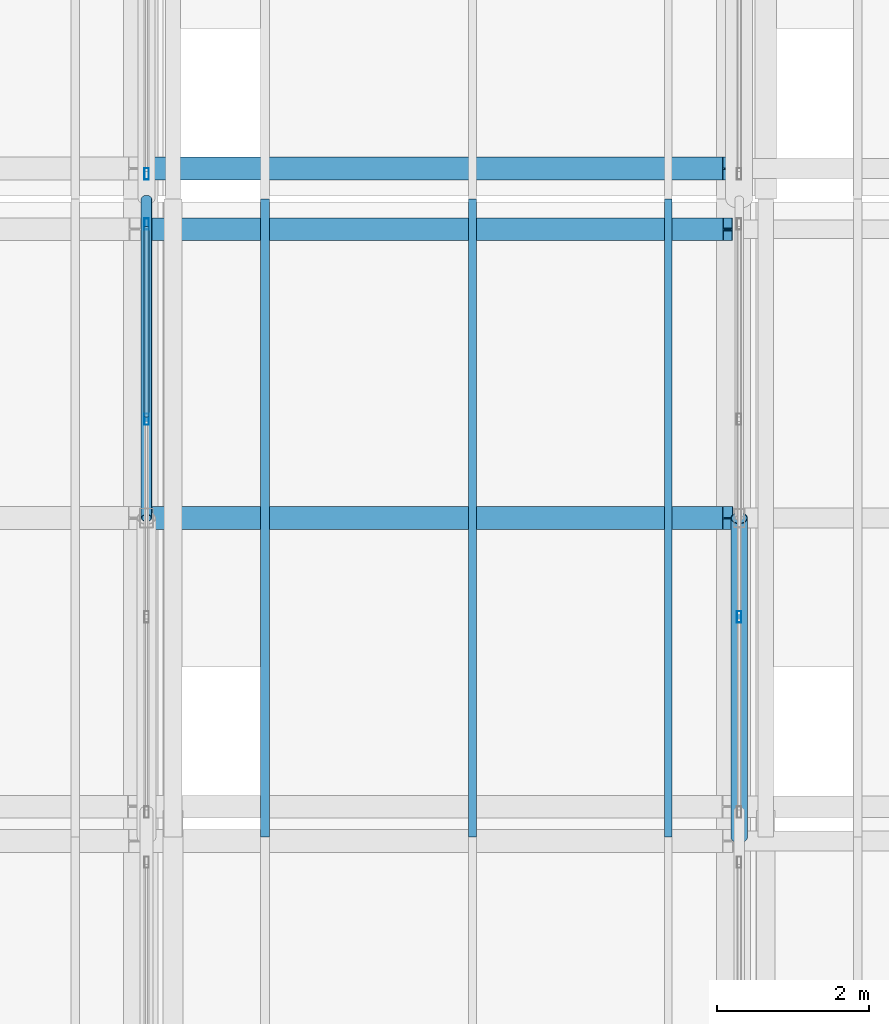
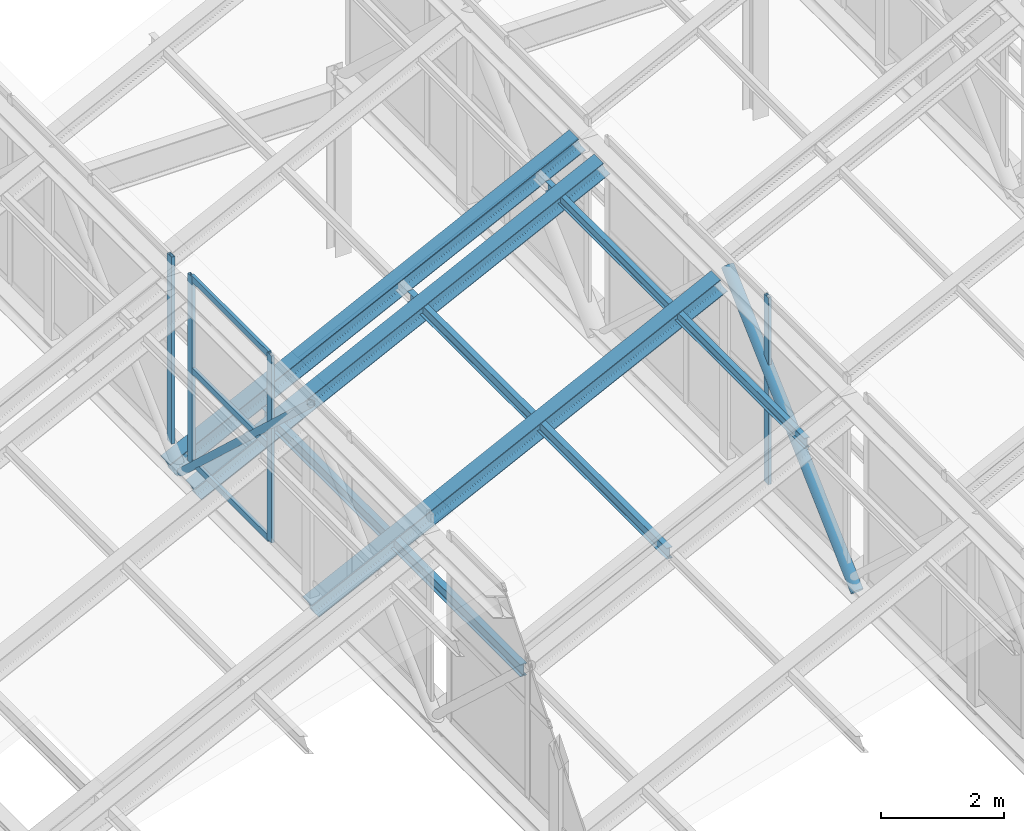
# One storey, part 20 of 101: 15 members, 3 elements without a shape of their own.
"""IFC4 building model written with IfcOpenShell, lengths in metres."""

from ifc_helpers import new_model, si_unit, direction, frame, origin, origin_2d, place, context, subcontext, project, spatial, hollow_rectangle, hollow_circle, i_section, extrude, material, layer, layer_set, material_profile, profile_set, type_object, element, aggregate, save


model = new_model("IFC4")

# Units and contexts
model_context = context("Model", 3, precision=1e-05, world=origin(), true_north=direction((0.0, 1.0)))
body_context = subcontext(model_context, "Body", "Model", "MODEL_VIEW")
ifc_project = project(units=[si_unit("LENGTHUNIT", "METRE"), si_unit("AREAUNIT", "SQUARE_METRE"), si_unit("VOLUMEUNIT", "CUBIC_METRE"), si_unit("PLANEANGLEUNIT", "RADIAN"), si_unit("MASSUNIT", "GRAM", prefix="KILO")], contexts=[model_context])

# Site, building, storey
site_placement = place(None, origin())
site = spatial("IfcSite", under=ifc_project, at=site_placement, CompositionType="ELEMENT")
building_placement = place(site_placement, origin())
building = spatial("IfcBuilding", under=site, at=building_placement, Name="Zizhar Promenade General Hospital", CompositionType="ELEMENT")
storey_placement = place(building_placement, frame((0.0, 0.0, 14.39990234375)))
storey = spatial("IfcBuildingStorey", under=building, at=storey_placement, Name="L03", CompositionType="ELEMENT", Elevation=14.39990234375)

# Curtain wall, members
ifc_material_1 = material(Name="Anodised aluminium 6063-T6 and low-E glass", Category="aluminium")
ifc_layer_1 = layer(ifc_material_1, 0.159912109375)
ifc_layer_set_1 = layer_set([ifc_layer_1], Name="Anodised aluminium 6063-T6 and low-E glass")
curtain_wall_type_1 = type_object("IfcCurtainWallType", Name="CW-SAW-NL2", PredefinedType="NOTDEFINED", material=ifc_layer_set_1)
curtain_wall_1_placement = place(storey_placement, origin())
curtain_wall_1 = element("IfcCurtainWall", 1, at=curtain_wall_1_placement, inside=storey, type_object=curtain_wall_type_1, Name="Sawtooth Clerestory Light B1-S2", PredefinedType="NOTDEFINED")
ifc_material_2 = material(Name="Anodised aluminium 6063-T6", Category="aluminium")
ifc_material_profile_1 = material_profile(ifc_material_2, hollow_rectangle(XDim=0.06005859375, YDim=0.14990234375, WallThickness=0.00390625, at=origin_2d()))
ifc_profile_set_1 = profile_set([ifc_material_profile_1], Name="Anodised aluminium 6063-T6")
member_type_1 = type_object("IfcMemberType", Name="CWM-ALU-150x60", PredefinedType="MULLION", material=ifc_profile_set_1)
member_1_placement = place(storey_placement, frame((78.0, 39.10009765625, 3.85009765625), z_axis=(0.0, 0.0, 1.0), x_axis=(-1.0, 0.0, 0.0)))
member_1 = element("IfcMember", 2, at=member_1_placement, type_object=member_type_1, Name="CW-04 mullion 3", PredefinedType="MULLION", context=body_context, shape_type="SweptSolid", body=[
    extrude(hollow_rectangle(XDim=0.06005859375, YDim=0.14990234375, WallThickness=0.00390625, at=origin_2d()), origin(), (0.0, 0.0, 1.0), 3.699951171875),
])
member_2_placement = place(storey_placement, frame((78.0, 41.669921875, 3.85009765625), z_axis=(0.0, 0.0, 1.0), x_axis=(-1.0, 0.0, 0.0)))
member_2 = element("IfcMember", 3, at=member_2_placement, type_object=member_type_1, Name="CW-04 mullion 4", PredefinedType="MULLION", context=body_context, shape_type="SweptSolid", body=[
    extrude(hollow_rectangle(XDim=0.06005859375, YDim=0.14990234375, WallThickness=0.00390625, at=origin_2d()), origin(), (0.0, 0.0, 1.0), 3.699951171875),
])

# Curtain wall, member
ifc_material_3 = material(Name="Anodised aluminium 6063-T6 and low-E glass", Category="aluminium")
ifc_layer_2 = layer(ifc_material_3, 0.159912109375)
ifc_layer_set_2 = layer_set([ifc_layer_2], Name="Anodised aluminium 6063-T6 and low-E glass")
curtain_wall_type_2 = type_object("IfcCurtainWallType", Name="CW-SAW-NL3", PredefinedType="NOTDEFINED", material=ifc_layer_set_2)
curtain_wall_2_placement = place(storey_placement, origin())
curtain_wall_2 = element("IfcCurtainWall", 4, at=curtain_wall_2_placement, inside=storey, type_object=curtain_wall_type_2, Name="Sawtooth Clerestory Light B1-S3", PredefinedType="NOTDEFINED")
member_3_placement = place(storey_placement, frame((78.0, 42.330078125, 3.85009765625), z_axis=(0.0, 0.0, 1.0), x_axis=(-1.0, 0.0, 0.0)))
member_3 = element("IfcMember", 5, at=member_3_placement, type_object=member_type_1, Name="CW-05 mullion 1", PredefinedType="MULLION", context=body_context, shape_type="SweptSolid", body=[
    extrude(hollow_rectangle(XDim=0.06005859375, YDim=0.14990234375, WallThickness=0.00390625, at=origin_2d()), origin(), (0.0, 0.0, 1.0), 3.699951171875),
])
aggregate(curtain_wall_2, [member_3])

curtain_wall_3_placement = place(storey_placement, origin())
curtain_wall_3 = element("IfcCurtainWall", 6, at=curtain_wall_3_placement, inside=storey, type_object=curtain_wall_type_1, Name="Sawtooth Clerestory Light B2-S2", PredefinedType="NOTDEFINED")
member_4_placement = place(storey_placement, frame((85.800048828125, 36.5, 3.85009765625), z_axis=(0.0, 0.0, 1.0), x_axis=(-1.0, 0.0, 0.0)))
member_4 = element("IfcMember", 7, at=member_4_placement, type_object=member_type_1, Name="CW-04 mullion 2", PredefinedType="MULLION", context=body_context, shape_type="SweptSolid", body=[
    extrude(hollow_rectangle(XDim=0.06005859375, YDim=0.14990234375, WallThickness=0.00390625, at=origin_2d()), origin(), (0.0, 0.0, 1.0), 3.699951171875),
])
aggregate(curtain_wall_3, [member_4])

# Member
ifc_material_4 = material(Name="Anodised aluminium 6063-T6", Category="aluminium")
ifc_material_profile_2 = material_profile(ifc_material_4, hollow_rectangle(XDim=0.06005859375, YDim=0.1201171875, WallThickness=0.00390625, at=origin_2d()))
ifc_profile_set_2 = profile_set([ifc_material_profile_2], Name="Anodised aluminium 6063-T6")
member_type_2 = type_object("IfcMemberType", Name="CWT-ALU-120x60", PredefinedType="USERDEFINED", material=ifc_profile_set_2)
member_5_placement = place(storey_placement, frame((78.0, 39.1298828125, 3.880126953125), z_axis=(0.0, 1.0, 0.0), x_axis=(-1.0, 0.0, 0.0)))
member_5 = element("IfcMember", 8, at=member_5_placement, type_object=member_type_2, Name="CW-04 transom 3.1", ObjectType="TRANSOM", PredefinedType="USERDEFINED", context=body_context, shape_type="SweptSolid", body=[
    extrude(hollow_rectangle(XDim=0.06005859375, YDim=0.1201171875, WallThickness=0.00390625, at=origin_2d()), origin(), (0.0, 0.0, 1.0), 2.510009765625),
])

member_6_placement = place(storey_placement, frame((78.0, 39.1298828125, 5.7001953125), z_axis=(0.0, 1.0, 0.0), x_axis=(-1.0, 0.0, 0.0)))
member_6 = element("IfcMember", 9, at=member_6_placement, type_object=member_type_2, Name="CW-04 transom 3.2", ObjectType="TRANSOM", PredefinedType="USERDEFINED", context=body_context, shape_type="SweptSolid", body=[
    extrude(hollow_rectangle(XDim=0.06005859375, YDim=0.1201171875, WallThickness=0.00390625, at=origin_2d()), origin(), (0.0, 0.0, 1.0), 2.510009765625),
])

member_7_placement = place(storey_placement, frame((78.0, 39.1298828125, 7.52001953125), z_axis=(0.0, 1.0, 0.0), x_axis=(-1.0, 0.0, 0.0)))
member_7 = element("IfcMember", 10, at=member_7_placement, type_object=member_type_2, Name="CW-04 transom 3.3", ObjectType="TRANSOM", PredefinedType="USERDEFINED", context=body_context, shape_type="SweptSolid", body=[
    extrude(hollow_rectangle(XDim=0.06005859375, YDim=0.1201171875, WallThickness=0.00390625, at=origin_2d()), origin(), (0.0, 0.0, 1.0), 2.510009765625),
])

aggregate(curtain_wall_1, [member_1, member_2, member_5, member_6, member_7])

# Members
ifc_material_5 = material(Name="Steel S355", Category="steel")
ifc_material_profile_3 = material_profile(ifc_material_5, hollow_circle(Radius=0.06982421875, WallThickness=0.00634765625, at=origin_2d()))
ifc_profile_set_3 = profile_set([ifc_material_profile_3], Name="Steel S355")
member_type_3 = type_object("IfcMemberType", Name="MEM-BRACE-CHS140", PredefinedType="BRACE", material=ifc_profile_set_3)
member_8_placement = place(storey_placement, frame((78.0, 42.0, 3.4501953125), z_axis=(0.0, -0.732798043082, 0.680446197767), x_axis=(1.0, 0.0, 0.0)))
element("IfcMember", 11, at=member_8_placement, inside=storey, type_object=member_type_3, Name="Sawtooth Truss Frame 2 Diagonal B2", PredefinedType="BRACE", context=body_context, shape_type="SweptSolid", body=[
    extrude(hollow_circle(Radius=0.06982421875, WallThickness=0.00634765625, at=origin_2d()), origin(), (0.0, 0.0, 1.0), 5.7314453125),
])
ifc_material_6 = material(Name="Steel S355", Category="steel")
ifc_material_profile_4 = material_profile(ifc_material_6, hollow_circle(Radius=0.109619140625, WallThickness=0.008056640625, at=origin_2d()))
ifc_profile_set_4 = profile_set([ifc_material_profile_4], Name="Steel S355")
member_type_4 = type_object("IfcMemberType", Name="MEM-DIAG-CHS219", PredefinedType="BRACE", material=ifc_profile_set_4)
member_9_placement = place(storey_placement, frame((85.800048828125, 33.60009765625, 3.4501953125), z_axis=(0.0, 0.732798043082, 0.680446197767), x_axis=(-1.0, 0.0, 0.0)))
element("IfcMember", 12, at=member_9_placement, inside=storey, type_object=member_type_4, Name="Sawtooth Truss Frame 3 Diagonal A2", PredefinedType="BRACE", context=body_context, shape_type="SweptSolid", body=[
    extrude(hollow_circle(Radius=0.109619140625, WallThickness=0.008056640625, at=origin_2d()), origin(), (0.0, 0.0, 1.0), 5.7314453125),
])
ifc_material_7 = material(Name="Steel S355", Category="steel")
ifc_material_profile_5 = material_profile(ifc_material_7, i_section(OverallWidth=0.10009765625, OverallDepth=0.199951171875, WebThickness=0.005615234375, FlangeThickness=0.008544921875, FilletRadius=0.011962890625, at=origin_2d()))
ifc_profile_set_5 = profile_set([ifc_material_profile_5], Name="Steel S355")
member_type_5 = type_object("IfcMemberType", Name="MEM-PURL-IPE200", PredefinedType="PURLIN", material=ifc_profile_set_5)
member_10_placement = place(storey_placement, frame((84.864013671875, 33.60009765625, 6.715087890625), z_axis=(0.0, 1.0, 0.0), x_axis=(-1.0, 0.0, 0.0)))
element("IfcMember", 13, at=member_10_placement, inside=storey, type_object=member_type_5, Name="Sawtooth Bay 2 Purlin 2-3", PredefinedType="PURLIN", context=body_context, shape_type="SweptSolid", body=[
    extrude(i_section(OverallWidth=0.10009765625, OverallDepth=0.199951171875, WebThickness=0.005615234375, FlangeThickness=0.008544921875, FilletRadius=0.011962890625, at=origin_2d()), origin(), (0.0, 0.0, 1.0), 8.39990234375),
])
ifc_material_8 = material(Name="Steel S355", Category="steel")
ifc_material_profile_6 = material_profile(ifc_material_8, i_section(OverallWidth=0.110107421875, OverallDepth=0.219970703125, WebThickness=0.005859375, FlangeThickness=0.00927734375, FilletRadius=0.011962890625, at=origin_2d()))
ifc_profile_set_6 = profile_set([ifc_material_profile_6], Name="Steel S355")
member_type_6 = type_object("IfcMemberType", Name="MEM-PURL-IPE220", PredefinedType="PURLIN", material=ifc_profile_set_6)
member_11_placement = place(storey_placement, frame((82.2900390625, 33.60009765625, 5.4345703125), z_axis=(0.0, 1.0, 0.0), x_axis=(-1.0, 0.0, 0.0)))
element("IfcMember", 14, at=member_11_placement, inside=storey, type_object=member_type_6, Name="Sawtooth Bay 2 Purlin 2-2", PredefinedType="PURLIN", context=body_context, shape_type="SweptSolid", body=[
    extrude(i_section(OverallWidth=0.110107421875, OverallDepth=0.219970703125, WebThickness=0.005859375, FlangeThickness=0.00927734375, FilletRadius=0.011962890625, at=origin_2d()), origin(), (0.0, 0.0, 1.0), 8.39990234375),
])
ifc_material_9 = material(Name="Steel S355", Category="steel")
ifc_material_profile_7 = material_profile(ifc_material_9, i_section(OverallWidth=0.1201171875, OverallDepth=0.239990234375, WebThickness=0.006103515625, FlangeThickness=0.009765625, FilletRadius=0.014892578125, at=origin_2d()))
ifc_profile_set_7 = profile_set([ifc_material_profile_7], Name="Steel S355")
member_type_7 = type_object("IfcMemberType", Name="MEM-PURL-IPE240", PredefinedType="PURLIN", material=ifc_profile_set_7)
member_12_placement = place(storey_placement, frame((79.56005859375, 33.60009765625, 4.0771484375), z_axis=(0.0, 1.0, 0.0), x_axis=(-1.0, 0.0, 0.0)))
element("IfcMember", 15, at=member_12_placement, inside=storey, type_object=member_type_7, Name="Sawtooth Bay 2 Purlin 2-1", PredefinedType="PURLIN", context=body_context, shape_type="SweptSolid", body=[
    extrude(i_section(OverallWidth=0.1201171875, OverallDepth=0.239990234375, WebThickness=0.006103515625, FlangeThickness=0.009765625, FilletRadius=0.014892578125, at=origin_2d()), origin(), (0.0, 0.0, 1.0), 8.39990234375),
])
ifc_material_10 = material(Name="Steel S355", Category="steel")
ifc_material_profile_8 = material_profile(ifc_material_10, i_section(OverallWidth=0.300048828125, OverallDepth=0.2900390625, WebThickness=0.008544921875, FlangeThickness=0.013916015625, FilletRadius=0.027099609375, at=origin_2d()))
ifc_profile_set_8 = profile_set([ifc_material_profile_8], Name="Steel S355")
member_type_8 = type_object("IfcMemberType", Name="MEM-RAFT-HEA300", PredefinedType="RAFTER", material=ifc_profile_set_8)
member_13_placement = place(storey_placement, frame((78.0, 41.60009765625, 3.33154296875), z_axis=(0.896716239757, 0.0, 0.442605902983), x_axis=(0.0, 1.0, 0.0)))
element("IfcMember", 16, at=member_13_placement, inside=storey, type_object=member_type_8, Name="Sawtooth Bay 2 Rafter 2-3", PredefinedType="RAFTER", context=body_context, shape_type="SweptSolid", body=[
    extrude(i_section(OverallWidth=0.300048828125, OverallDepth=0.2900390625, WebThickness=0.008544921875, FlangeThickness=0.013916015625, FilletRadius=0.027099609375, at=origin_2d()), origin(), (0.0, 0.0, 1.0), 8.531005859375),
])
ifc_material_11 = material(Name="Steel S355", Category="steel")
ifc_material_profile_9 = material_profile(ifc_material_11, i_section(OverallWidth=0.300048828125, OverallDepth=0.31005859375, WebThickness=0.009033203125, FlangeThickness=0.015380859375, FilletRadius=0.027099609375, at=origin_2d()))
ifc_profile_set_9 = profile_set([ifc_material_profile_9], Name="Steel S355")
member_type_9 = type_object("IfcMemberType", Name="MEM-RAFT-HEA320", PredefinedType="RAFTER", material=ifc_profile_set_9)
for number, where, z_axis, x_axis, name in (
    (17, (78.0, 37.800048828125, 3.3203125), (0.896704881356, 0.0, 0.442628914276), (0.0, 1.0, 0.0), "Sawtooth Bay 2 Rafter 2-2"),
    (18, (78.0, 42.39990234375, 3.3203125), (0.896704881356, 0.0, 0.442628914276), (0.0, 1.0, 0.0), "Sawtooth Bay 2 Rafter 3-1"),
):
    element("IfcMember", number, at=place(storey_placement, frame(where, z_axis=z_axis, x_axis=x_axis)), inside=storey, type_object=member_type_9, Name=name, PredefinedType="RAFTER", context=body_context, shape_type="SweptSolid", body=[
        extrude(i_section(OverallWidth=0.300048828125, OverallDepth=0.31005859375, WebThickness=0.009033203125, FlangeThickness=0.015380859375, FilletRadius=0.027099609375, at=origin_2d()), origin(), (0.0, 0.0, 1.0), 8.531005859375),
    ])

save(model, "model.ifc")
